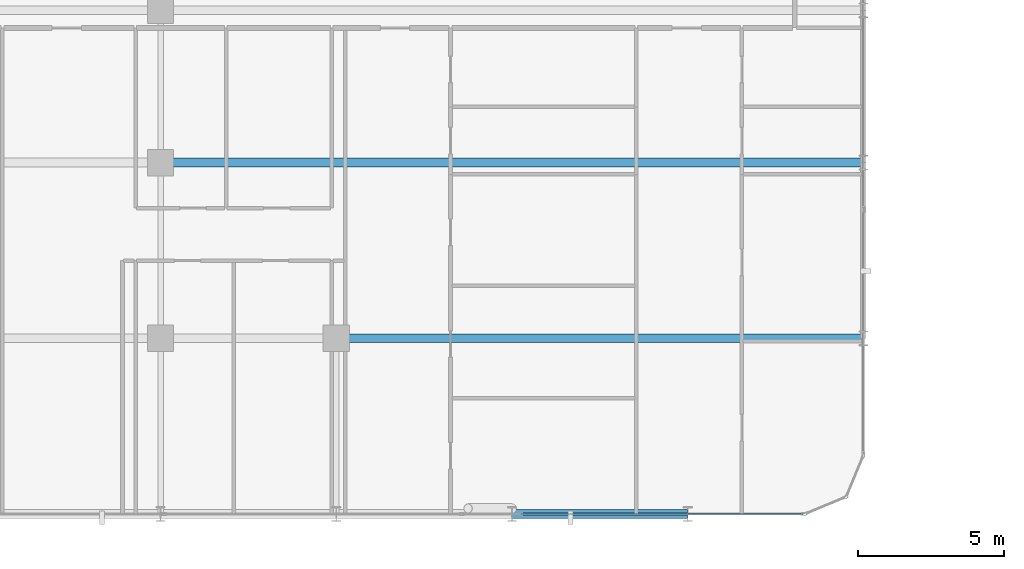
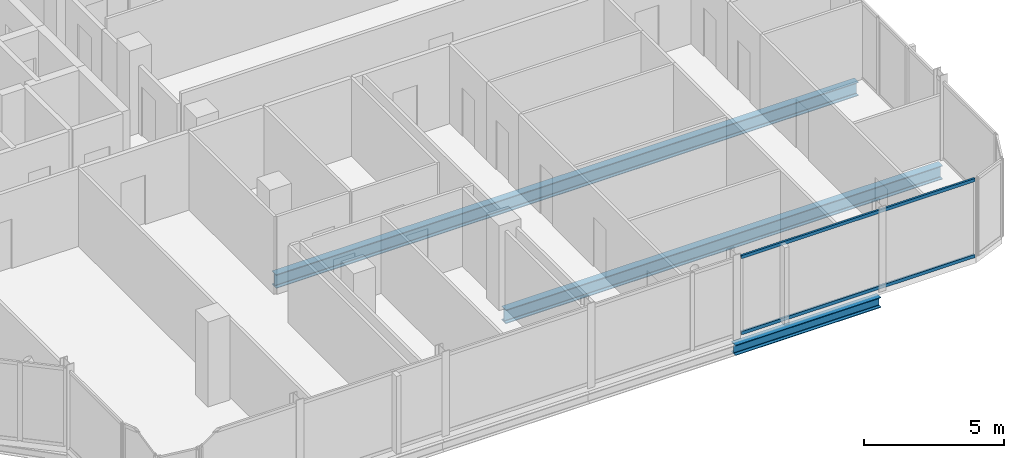
# One storey, part 10 of 31: 3 beams, 2 members, 1 element without a shape of its own.
"""IFC4 building model written with IfcOpenShell, lengths in metres."""

from ifc_helpers import new_model, si_unit, direction, frame, origin, origin_2d, place, context, subcontext, project, spatial, hollow_rectangle, i_section, extrude, material, layer, layer_set, material_profile, profile_set, type_object, element, aggregate, save


model = new_model("IFC4")

# Units and contexts
model_context = context("Model", 3, precision=1e-05, world=origin(), true_north=direction((0.0, 1.0)))
body_context = subcontext(model_context, "Body", "Model", "MODEL_VIEW")
ifc_project = project(units=[si_unit("LENGTHUNIT", "METRE"), si_unit("AREAUNIT", "SQUARE_METRE"), si_unit("VOLUMEUNIT", "CUBIC_METRE"), si_unit("PLANEANGLEUNIT", "RADIAN"), si_unit("MASSUNIT", "GRAM", prefix="KILO")], contexts=[model_context])

# Site, building, storey
site_placement = place(None, origin())
site = spatial("IfcSite", under=ifc_project, at=site_placement, CompositionType="ELEMENT")
building_placement = place(site_placement, origin())
building = spatial("IfcBuilding", under=site, at=building_placement, Name="Keshet Zoharim Tower", CompositionType="ELEMENT")
storey_placement = place(building_placement, frame((0.0, 0.0, 133.5)))
storey = spatial("IfcBuildingStorey", under=building, at=storey_placement, Name="L32", CompositionType="ELEMENT", Elevation=133.5)

# Beams
ifc_material_1 = material(Name="Steel S355", Category="steel")
ifc_material_profile_1 = material_profile(ifc_material_1, i_section(OverallWidth=0.300048828125, OverallDepth=0.60009765625, WebThickness=0.015380859375, FlangeThickness=0.030029296875, FilletRadius=0.027099609375, at=origin_2d()), Name="HEB600")
ifc_profile_set_1 = profile_set([ifc_material_profile_1], Name="Steel S355")
beam_type_1 = type_object("IfcBeamType", Name="BM-LNG-HB600", PredefinedType="BEAM", material=ifc_profile_set_1)
beam_1_placement = place(storey_placement, frame((39.0, 6.699951171875, -0.614990234375), z_axis=(1.0, 0.0, 0.0), x_axis=(0.0, 1.0, 0.0)))
element("IfcBeam", 1, at=beam_1_placement, inside=storey, type_object=beam_type_1, Name="L32 Primary Girder X-008", PredefinedType="BEAM", context=body_context, shape_type="SweptSolid", body=[
    extrude(i_section(OverallWidth=0.300048828125, OverallDepth=0.60009765625, WebThickness=0.015380859375, FlangeThickness=0.030029296875, FilletRadius=0.027099609375, at=origin_2d()), origin(), (0.0, 0.0, 1.0), 18.0),
])
beam_2_placement = place(storey_placement, frame((33.0, 12.699951171875, -0.614990234375), z_axis=(1.0, 0.0, 0.0), x_axis=(0.0, 1.0, 0.0)))
element("IfcBeam", 2, at=beam_2_placement, inside=storey, type_object=beam_type_1, Name="L32 Primary Girder X-010", PredefinedType="BEAM", context=body_context, shape_type="SweptSolid", body=[
    extrude(i_section(OverallWidth=0.300048828125, OverallDepth=0.60009765625, WebThickness=0.015380859375, FlangeThickness=0.030029296875, FilletRadius=0.027099609375, at=origin_2d()), origin(), (0.0, 0.0, 1.0), 24.0),
])
ifc_material_profile_2 = material_profile(ifc_material_1, i_section(OverallWidth=0.300048828125, OverallDepth=0.449951171875, WebThickness=0.013916015625, FlangeThickness=0.02587890625, FilletRadius=0.027099609375, at=origin_2d()), Name="HEB450")
ifc_profile_set_2 = profile_set([ifc_material_profile_2], Name="Steel S355")
beam_type_2 = type_object("IfcBeamType", Name="BM-WEB-HB450", PredefinedType="BEAM", material=ifc_profile_set_2)
beam_3_placement = place(storey_placement, frame((45.0, 0.699951171875, -0.5400390625), z_axis=(1.0, 0.0, 0.0), x_axis=(0.0, 1.0, 0.0)))
element("IfcBeam", 3, at=beam_3_placement, inside=storey, type_object=beam_type_2, Name="L32 Primary Girder X-004", PredefinedType="BEAM", context=body_context, shape_type="SweptSolid", body=[
    extrude(i_section(OverallWidth=0.300048828125, OverallDepth=0.449951171875, WebThickness=0.013916015625, FlangeThickness=0.02587890625, FilletRadius=0.027099609375, at=origin_2d()), origin(), (0.0, 0.0, 1.0), 6.0),
])

# Curtain wall, members
ifc_material_2 = material(Name="Aluminium 6063-T6", Category="aluminium")
ifc_layer = layer(ifc_material_2, 0.159912109375)
ifc_layer_set = layer_set([ifc_layer], Name="Aluminium 6063-T6")
curtain_wall_type = type_object("IfcCurtainWallType", Name="CW-SYS-03", PredefinedType="NOTDEFINED", material=ifc_layer_set)
curtain_wall_placement = place(storey_placement, origin())
curtain_wall = element("IfcCurtainWall", 4, at=curtain_wall_placement, inside=storey, type_object=curtain_wall_type, Name="L32 Unitised Curtain Wall 03", PredefinedType="NOTDEFINED")
ifc_material_profile_3 = material_profile(ifc_material_2, hollow_rectangle(XDim=0.080078125, YDim=0.139892578125, WallThickness=0.00390625, at=origin_2d()), Name="TRN-80x140")
ifc_profile_set_3 = profile_set([ifc_material_profile_3], Name="Aluminium 6063-T6")
member_type = type_object("IfcMemberType", Name="CWT-T14", PredefinedType="USERDEFINED", material=ifc_profile_set_3)
member_1_placement = place(storey_placement, frame((54.929931640625, 0.699951171875, 0.034912109375), z_axis=(-1.0, 0.0, 0.0), x_axis=(0.0, -1.0, 0.0)))
member_1 = element("IfcMember", 5, at=member_1_placement, type_object=member_type, Name="CW-03 transom 1.1", ObjectType="TRANSOM", PredefinedType="USERDEFINED", context=body_context, shape_type="SweptSolid", body=[
    extrude(hollow_rectangle(XDim=0.080078125, YDim=0.139892578125, WallThickness=0.00390625, at=origin_2d()), origin(), (0.0, 0.0, 1.0), 9.61181640625),
])
member_2_placement = place(storey_placement, frame((54.929931640625, 0.699951171875, 3.35009765625), z_axis=(-1.0, 0.0, 0.0), x_axis=(0.0, -1.0, 0.0)))
member_2 = element("IfcMember", 6, at=member_2_placement, type_object=member_type, Name="CW-03 transom 1.2", ObjectType="TRANSOM", PredefinedType="USERDEFINED", context=body_context, shape_type="SweptSolid", body=[
    extrude(hollow_rectangle(XDim=0.080078125, YDim=0.139892578125, WallThickness=0.00390625, at=origin_2d()), origin(), (0.0, 0.0, 1.0), 9.61181640625),
])
aggregate(curtain_wall, [member_1, member_2])

save(model, "model.ifc")
